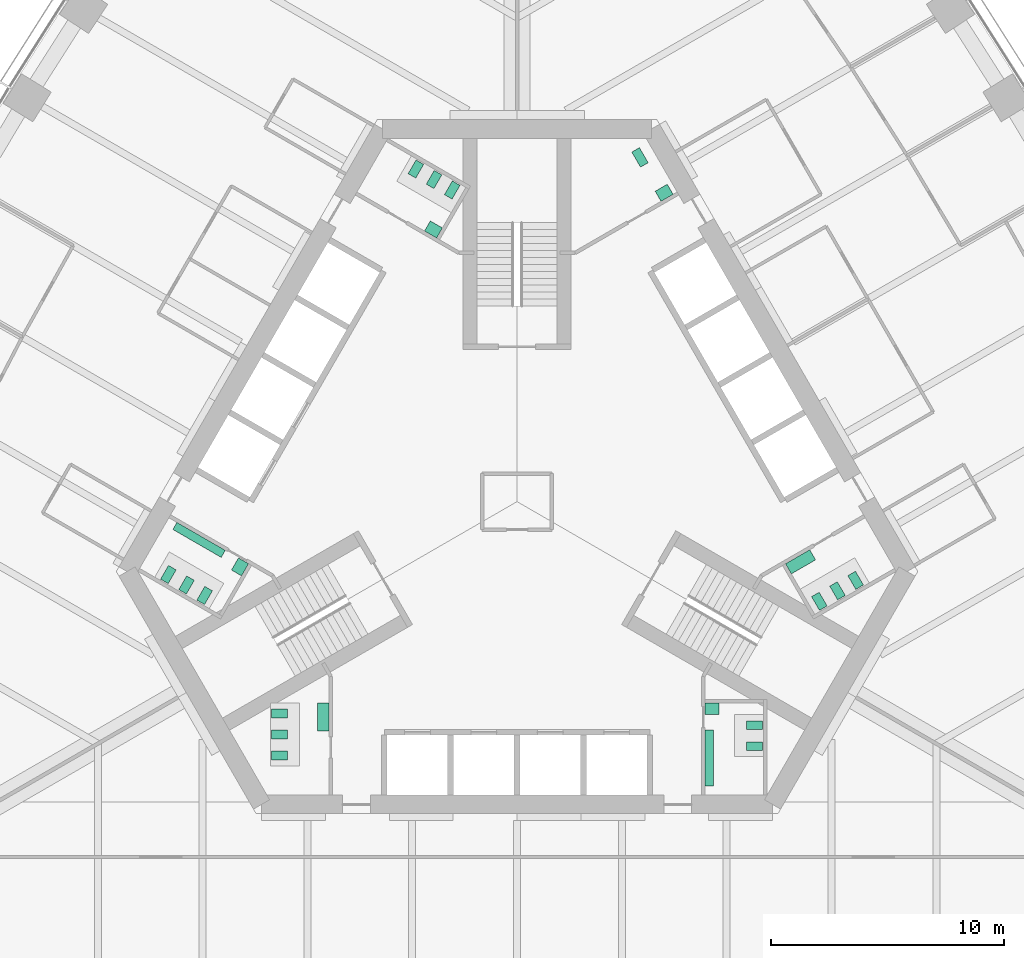
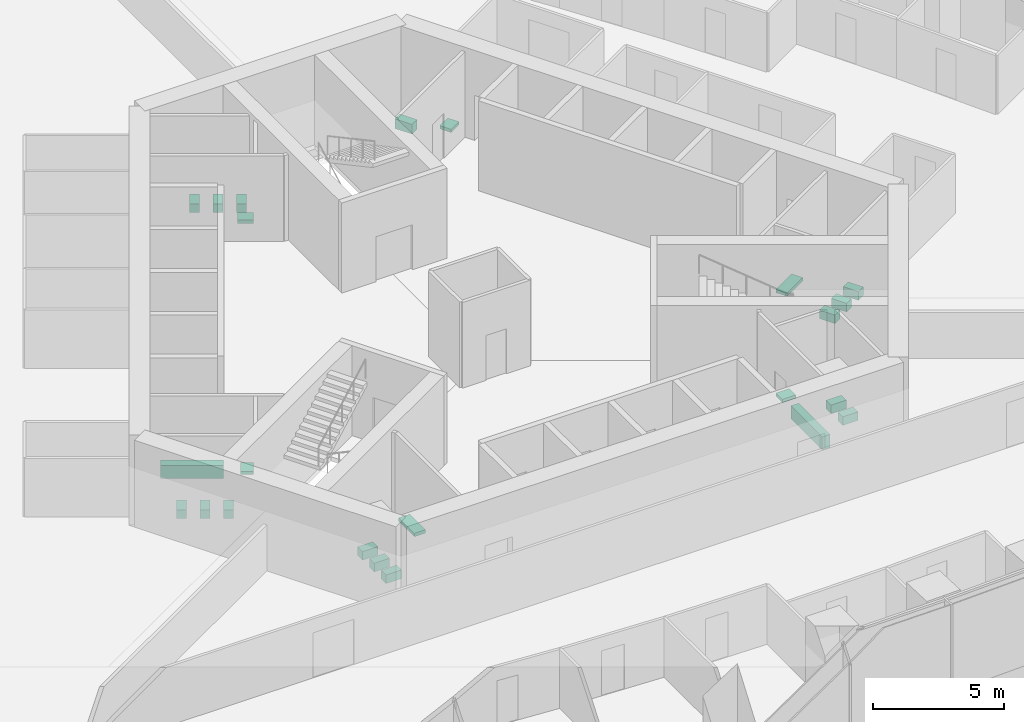
# One storey, part 17 of 18: 23 sanitary terminals.
"""IFC4 building model written with IfcOpenShell, lengths in metres."""

from ifc_helpers import new_model, si_unit, direction, frame, origin, place, context, subcontext, project, spatial, polyline, outline, extrude, material, type_object, element, save


model = new_model("IFC4")

# Units and contexts
model_context = context("Model", 3, precision=1e-05, world=origin(), true_north=direction((0.0, 1.0)))
body_context = subcontext(model_context, "Body", "Model", "MODEL_VIEW")
ifc_project = project(units=[si_unit("LENGTHUNIT", "METRE"), si_unit("AREAUNIT", "SQUARE_METRE"), si_unit("VOLUMEUNIT", "CUBIC_METRE"), si_unit("PLANEANGLEUNIT", "RADIAN"), si_unit("MASSUNIT", "GRAM", prefix="KILO")], contexts=[model_context])

# Site, building, storey
site_placement = place(None, origin())
site = spatial("IfcSite", under=ifc_project, at=site_placement, CompositionType="ELEMENT")
building_placement = place(site_placement, origin())
building = spatial("IfcBuilding", under=site, at=building_placement, Name="Trefoil Bronze Tower", CompositionType="ELEMENT")
storey_placement = place(building_placement, frame((0.0, 0.0, 33.300048828125)))
storey = spatial("IfcBuildingStorey", under=building, at=storey_placement, Name="L07", CompositionType="ELEMENT", Elevation=33.300048828125)

# Sanitary terminals
ifc_material_1 = material(Name="Vitreous china", Category="ceramic")
sanitary_terminal_type_1 = type_object("IfcSanitaryTerminalType", Name="Accessible WC pan", PredefinedType="TOILETPAN", material=ifc_material_1)
sanitary_terminal_1_placement = place(storey_placement, origin())
element("IfcSanitaryTerminal", 1, at=sanitary_terminal_1_placement, inside=storey, type_object=sanitary_terminal_type_1, Name="WC pan 1 Accessible WC L07", PredefinedType="TOILETPAN", context=body_context, shape_type="SweptSolid", body=[
    extrude(outline(polyline([(5.300537109375, 14.359130859375), (4.925537109375, 15.008544921875), (5.254638671875, 15.198486328125), (5.629638671875, 14.549072265625), (5.300537109375, 14.359130859375)])), origin(), (0.0, 0.0, 1.0), 0.449951171875),
])
ifc_material_2 = material(Name="Vitreous china", Category="ceramic")
sanitary_terminal_type_2 = type_object("IfcSanitaryTerminalType", Name="Accessible basin", PredefinedType="WASHHANDBASIN", material=ifc_material_2)
sanitary_terminal_2_placement = place(storey_placement, frame((0.0, 0.0, 0.64990234375)))
element("IfcSanitaryTerminal", 2, at=sanitary_terminal_2_placement, inside=storey, type_object=sanitary_terminal_type_2, Name="Wash basin Accessible WC L07", PredefinedType="WASHHANDBASIN", context=body_context, shape_type="SweptSolid", body=[
    extrude(outline(polyline([(6.181640625, 12.89306640625), (5.931640625, 13.326171875), (6.451171875, 13.626220703125), (6.701171875, 13.193115234375), (6.181640625, 12.89306640625)])), origin(), (0.0, 0.0, 1.0), 0.150146484375),
])
ifc_material_3 = material(Name="Vitreous china", Category="ceramic")
sanitary_terminal_type_3 = type_object("IfcSanitaryTerminalType", Name="Urinal range 4 urinals", PredefinedType="URINAL", material=ifc_material_3)
sanitary_terminal_3_placement = place(storey_placement, frame((0.0, 0.0, 0.39990234375)))
element("IfcSanitaryTerminal", 3, at=sanitary_terminal_3_placement, inside=storey, type_object=sanitary_terminal_type_3, Name="Urinal range WC (men) L07", PredefinedType="URINAL", context=body_context, shape_type="SweptSolid", body=[
    extrude(outline(polyline([(8.074951171875, -9.800048828125), (8.425048828125, -9.800048828125), (8.425048828125, -12.199951171875), (8.074951171875, -12.199951171875), (8.074951171875, -9.800048828125)])), origin(), (0.0, 0.0, 1.0), 0.60009765625),
])
sanitary_terminal_4_placement = place(storey_placement, frame((0.0, 0.0, 0.39990234375)))
element("IfcSanitaryTerminal", 4, at=sanitary_terminal_4_placement, inside=storey, type_object=sanitary_terminal_type_3, Name="Urinal range WC (men) L07", PredefinedType="URINAL", context=body_context, shape_type="SweptSolid", body=[
    extrude(outline(polyline([(-12.524658203125, -2.09326171875), (-12.699462890625, -2.396240234375), (-14.778076171875, -1.1962890625), (-14.60302734375, -0.89306640625), (-12.524658203125, -2.09326171875)])), origin(), (0.0, 0.0, 1.0), 0.60009765625),
])
ifc_material_4 = material(Name="Solid surface vanity", Category="plastic")
sanitary_terminal_type_4 = type_object("IfcSanitaryTerminalType", Name="Vanity unit 1 basins", PredefinedType="WASHHANDBASIN", material=ifc_material_4)
sanitary_terminal_5_placement = place(storey_placement, frame((0.0, 0.0, 0.75)))
element("IfcSanitaryTerminal", 5, at=sanitary_terminal_5_placement, inside=storey, type_object=sanitary_terminal_type_4, Name="Vanity unit WC (men) L07", PredefinedType="WASHHANDBASIN", context=body_context, shape_type="SweptSolid", body=[
    extrude(outline(polyline([(8.074951171875, -8.64990234375), (8.675048828125, -8.64990234375), (8.675048828125, -9.14990234375), (8.074951171875, -9.14990234375), (8.074951171875, -8.64990234375)])), origin(), (0.0, 0.0, 1.0), 0.14990234375),
])
sanitary_terminal_6_placement = place(storey_placement, frame((0.0, 0.0, 0.75)))
element("IfcSanitaryTerminal", 6, at=sanitary_terminal_6_placement, inside=storey, type_object=sanitary_terminal_type_4, Name="Vanity unit WC (women) L07", PredefinedType="WASHHANDBASIN", context=body_context, shape_type="SweptSolid", body=[
    extrude(outline(polyline([(-3.45361328125, 11.318115234375), (-3.20361328125, 11.751220703125), (-3.72314453125, 12.05126953125), (-3.97314453125, 11.6181640625), (-3.45361328125, 11.318115234375)])), origin(), (0.0, 0.0, 1.0), 0.14990234375),
])
sanitary_terminal_7_placement = place(storey_placement, frame((0.0, 0.0, 0.75)))
element("IfcSanitaryTerminal", 7, at=sanitary_terminal_7_placement, inside=storey, type_object=sanitary_terminal_type_4, Name="Vanity unit WC (men) L07", PredefinedType="WASHHANDBASIN", context=body_context, shape_type="SweptSolid", body=[
    extrude(outline(polyline([(-11.528564453125, -2.668212890625), (-11.82861328125, -3.187744140625), (-12.26171875, -2.937744140625), (-11.961669921875, -2.418212890625), (-11.528564453125, -2.668212890625)])), origin(), (0.0, 0.0, 1.0), 0.14990234375),
])
ifc_material_5 = material(Name="Solid surface vanity", Category="plastic")
sanitary_terminal_type_5 = type_object("IfcSanitaryTerminalType", Name="Vanity unit 2 basins", PredefinedType="WASHHANDBASIN", material=ifc_material_5)
sanitary_terminal_8_placement = place(storey_placement, frame((0.0, 0.0, 0.75)))
element("IfcSanitaryTerminal", 8, at=sanitary_terminal_8_placement, inside=storey, type_object=sanitary_terminal_type_5, Name="Vanity unit WC (women) L07", PredefinedType="WASHHANDBASIN", context=body_context, shape_type="SweptSolid", body=[
    extrude(outline(polyline([(11.528564453125, -2.668212890625), (11.778564453125, -3.10107421875), (12.81787109375, -2.501220703125), (12.56787109375, -2.068115234375), (11.528564453125, -2.668212890625)])), origin(), (0.0, 0.0, 1.0), 0.14990234375),
])
sanitary_terminal_9_placement = place(storey_placement, frame((0.0, 0.0, 0.75)))
element("IfcSanitaryTerminal", 9, at=sanitary_terminal_9_placement, inside=storey, type_object=sanitary_terminal_type_5, Name="Vanity unit WC (women) L07", PredefinedType="WASHHANDBASIN", context=body_context, shape_type="SweptSolid", body=[
    extrude(outline(polyline([(-8.074951171875, -8.64990234375), (-8.574951171875, -8.64990234375), (-8.574951171875, -9.85009765625), (-8.074951171875, -9.85009765625), (-8.074951171875, -8.64990234375)])), origin(), (0.0, 0.0, 1.0), 0.14990234375),
])
ifc_material_6 = material(Name="Vitreous china", Category="ceramic")
sanitary_terminal_type_6 = type_object("IfcSanitaryTerminalType", Name="WC pan", PredefinedType="TOILETPAN", material=ifc_material_6)
sanitary_terminal_10_placement = place(storey_placement, origin())
element("IfcSanitaryTerminal", 10, at=sanitary_terminal_10_placement, inside=storey, type_object=sanitary_terminal_type_6, Name="WC pan 1 WC (men) L07", PredefinedType="TOILETPAN", context=body_context, shape_type="SweptSolid", body=[
    extrude(outline(polyline([(9.85498046875, -9.409912109375), (10.534912109375, -9.409912109375), (10.534912109375, -9.7900390625), (9.85498046875, -9.7900390625), (9.85498046875, -9.409912109375)])), origin(), (0.0, 0.0, 1.0), 0.39990234375),
])
sanitary_terminal_11_placement = place(storey_placement, origin())
element("IfcSanitaryTerminal", 11, at=sanitary_terminal_11_placement, inside=storey, type_object=sanitary_terminal_type_6, Name="WC pan 2 WC (men) L07", PredefinedType="TOILETPAN", context=body_context, shape_type="SweptSolid", body=[
    extrude(outline(polyline([(9.85498046875, -10.31005859375), (10.534912109375, -10.31005859375), (10.534912109375, -10.68994140625), (9.85498046875, -10.68994140625), (9.85498046875, -10.31005859375)])), origin(), (0.0, 0.0, 1.0), 0.39990234375),
])
sanitary_terminal_12_placement = place(storey_placement, origin())
element("IfcSanitaryTerminal", 12, at=sanitary_terminal_12_placement, inside=storey, type_object=sanitary_terminal_type_6, Name="WC pan 1 WC (women) L07", PredefinedType="TOILETPAN", context=body_context, shape_type="SweptSolid", body=[
    extrude(outline(polyline([(12.643798828125, -4.07958984375), (12.98388671875, -4.66845703125), (13.31298828125, -4.478515625), (12.972900390625, -3.8896484375), (12.643798828125, -4.07958984375)])), origin(), (0.0, 0.0, 1.0), 0.39990234375),
])
sanitary_terminal_13_placement = place(storey_placement, origin())
element("IfcSanitaryTerminal", 13, at=sanitary_terminal_13_placement, inside=storey, type_object=sanitary_terminal_type_6, Name="WC pan 2 WC (women) L07", PredefinedType="TOILETPAN", context=body_context, shape_type="SweptSolid", body=[
    extrude(outline(polyline([(13.423095703125, -3.629638671875), (13.76318359375, -4.218505859375), (14.09228515625, -4.028564453125), (13.752197265625, -3.439697265625), (13.423095703125, -3.629638671875)])), origin(), (0.0, 0.0, 1.0), 0.39990234375),
])
sanitary_terminal_14_placement = place(storey_placement, origin())
element("IfcSanitaryTerminal", 14, at=sanitary_terminal_14_placement, inside=storey, type_object=sanitary_terminal_type_6, Name="WC pan 3 WC (women) L07", PredefinedType="TOILETPAN", context=body_context, shape_type="SweptSolid", body=[
    extrude(outline(polyline([(14.20263671875, -3.1796875), (14.542724609375, -3.7685546875), (14.871826171875, -3.57861328125), (14.53173828125, -2.98974609375), (14.20263671875, -3.1796875)])), origin(), (0.0, 0.0, 1.0), 0.39990234375),
])
sanitary_terminal_15_placement = place(storey_placement, origin())
element("IfcSanitaryTerminal", 15, at=sanitary_terminal_15_placement, inside=storey, type_object=sanitary_terminal_type_6, Name="WC pan 1 WC (women) L07", PredefinedType="TOILETPAN", context=body_context, shape_type="SweptSolid", body=[
    extrude(outline(polyline([(-2.788818359375, 12.98974609375), (-2.44873046875, 13.57861328125), (-2.77783203125, 13.7685546875), (-3.117919921875, 13.1796875), (-2.788818359375, 12.98974609375)])), origin(), (0.0, 0.0, 1.0), 0.39990234375),
])
sanitary_terminal_16_placement = place(storey_placement, origin())
element("IfcSanitaryTerminal", 16, at=sanitary_terminal_16_placement, inside=storey, type_object=sanitary_terminal_type_6, Name="WC pan 2 WC (women) L07", PredefinedType="TOILETPAN", context=body_context, shape_type="SweptSolid", body=[
    extrude(outline(polyline([(-3.568115234375, 13.439697265625), (-3.228271484375, 14.028564453125), (-3.557373046875, 14.218505859375), (-3.897216796875, 13.629638671875), (-3.568115234375, 13.439697265625)])), origin(), (0.0, 0.0, 1.0), 0.39990234375),
])
sanitary_terminal_17_placement = place(storey_placement, origin())
element("IfcSanitaryTerminal", 17, at=sanitary_terminal_17_placement, inside=storey, type_object=sanitary_terminal_type_6, Name="WC pan 3 WC (women) L07", PredefinedType="TOILETPAN", context=body_context, shape_type="SweptSolid", body=[
    extrude(outline(polyline([(-4.34765625, 13.8896484375), (-4.007568359375, 14.478515625), (-4.336669921875, 14.66845703125), (-4.6767578125, 14.07958984375), (-4.34765625, 13.8896484375)])), origin(), (0.0, 0.0, 1.0), 0.39990234375),
])
sanitary_terminal_18_placement = place(storey_placement, origin())
element("IfcSanitaryTerminal", 18, at=sanitary_terminal_18_placement, inside=storey, type_object=sanitary_terminal_type_6, Name="WC pan 1 WC (men) L07", PredefinedType="TOILETPAN", context=body_context, shape_type="SweptSolid", body=[
    extrude(outline(polyline([(-13.076904296875, -3.82958984375), (-13.416748046875, -4.41845703125), (-13.745849609375, -4.228515625), (-13.406005859375, -3.6396484375), (-13.076904296875, -3.82958984375)])), origin(), (0.0, 0.0, 1.0), 0.39990234375),
])
sanitary_terminal_19_placement = place(storey_placement, origin())
element("IfcSanitaryTerminal", 19, at=sanitary_terminal_19_placement, inside=storey, type_object=sanitary_terminal_type_6, Name="WC pan 2 WC (men) L07", PredefinedType="TOILETPAN", context=body_context, shape_type="SweptSolid", body=[
    extrude(outline(polyline([(-13.856201171875, -3.379638671875), (-14.1962890625, -3.968505859375), (-14.525390625, -3.778564453125), (-14.185302734375, -3.189697265625), (-13.856201171875, -3.379638671875)])), origin(), (0.0, 0.0, 1.0), 0.39990234375),
])
sanitary_terminal_20_placement = place(storey_placement, origin())
element("IfcSanitaryTerminal", 20, at=sanitary_terminal_20_placement, inside=storey, type_object=sanitary_terminal_type_6, Name="WC pan 3 WC (men) L07", PredefinedType="TOILETPAN", context=body_context, shape_type="SweptSolid", body=[
    extrude(outline(polyline([(-14.6357421875, -2.9296875), (-14.9755859375, -3.5185546875), (-15.3046875, -3.32861328125), (-14.96484375, -2.73974609375), (-14.6357421875, -2.9296875)])), origin(), (0.0, 0.0, 1.0), 0.39990234375),
])
sanitary_terminal_21_placement = place(storey_placement, origin())
element("IfcSanitaryTerminal", 21, at=sanitary_terminal_21_placement, inside=storey, type_object=sanitary_terminal_type_6, Name="WC pan 1 WC (women) L07", PredefinedType="TOILETPAN", context=body_context, shape_type="SweptSolid", body=[
    extrude(outline(polyline([(-9.85498046875, -8.909912109375), (-10.534912109375, -8.909912109375), (-10.534912109375, -9.2900390625), (-9.85498046875, -9.2900390625), (-9.85498046875, -8.909912109375)])), origin(), (0.0, 0.0, 1.0), 0.39990234375),
])
sanitary_terminal_22_placement = place(storey_placement, origin())
element("IfcSanitaryTerminal", 22, at=sanitary_terminal_22_placement, inside=storey, type_object=sanitary_terminal_type_6, Name="WC pan 2 WC (women) L07", PredefinedType="TOILETPAN", context=body_context, shape_type="SweptSolid", body=[
    extrude(outline(polyline([(-9.85498046875, -9.81005859375), (-10.534912109375, -9.81005859375), (-10.534912109375, -10.18994140625), (-9.85498046875, -10.18994140625), (-9.85498046875, -9.81005859375)])), origin(), (0.0, 0.0, 1.0), 0.39990234375),
])
sanitary_terminal_23_placement = place(storey_placement, origin())
element("IfcSanitaryTerminal", 23, at=sanitary_terminal_23_placement, inside=storey, type_object=sanitary_terminal_type_6, Name="WC pan 3 WC (women) L07", PredefinedType="TOILETPAN", context=body_context, shape_type="SweptSolid", body=[
    extrude(outline(polyline([(-9.85498046875, -10.7099609375), (-10.534912109375, -10.7099609375), (-10.534912109375, -11.090087890625), (-9.85498046875, -11.090087890625), (-9.85498046875, -10.7099609375)])), origin(), (0.0, 0.0, 1.0), 0.39990234375),
])

save(model, "model.ifc")
